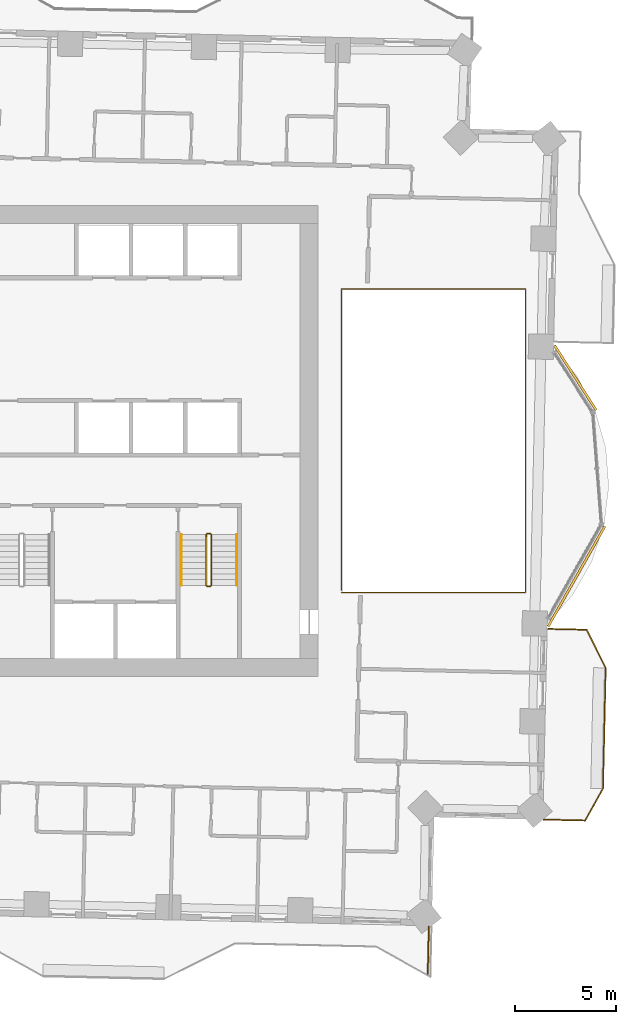
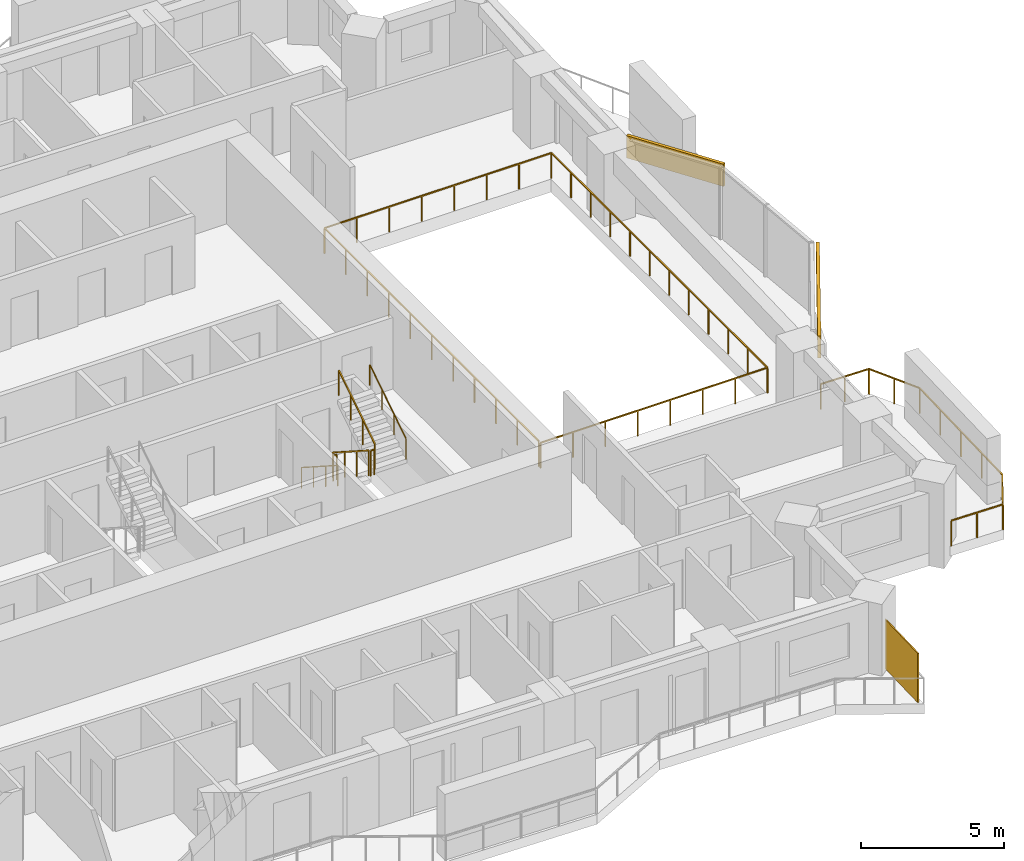
# One storey, part 13 of 14: 8 railings, 2 coverings, 1 shading device.
"""IFC4 building model written with IfcOpenShell, lengths in metres."""

from ifc_helpers import new_model, si_unit, direction, frame, frame_2d, origin, origin_2d, place, context, subcontext, project, spatial, rectangle, circle, extrude, material, layer, layer_set, type_object, element, save


model = new_model("IFC4")

# Units and contexts
model_context = context("Model", 3, precision=1e-05, world=origin(), true_north=direction((0.0, 1.0)))
body_context = subcontext(model_context, "Body", "Model", "MODEL_VIEW")
ifc_project = project(units=[si_unit("LENGTHUNIT", "METRE"), si_unit("AREAUNIT", "SQUARE_METRE"), si_unit("VOLUMEUNIT", "CUBIC_METRE"), si_unit("PLANEANGLEUNIT", "RADIAN"), si_unit("MASSUNIT", "GRAM", prefix="KILO")], contexts=[model_context])

# Site, building, storey
site_placement = place(None, origin())
site = spatial("IfcSite", under=ifc_project, at=site_placement, CompositionType="ELEMENT")
building_placement = place(site_placement, origin())
building = spatial("IfcBuilding", under=site, at=building_placement, Name="Mangrove Gate Tower", CompositionType="ELEMENT")
storey_placement = place(building_placement, frame((0.0, 0.0, 159.89990234375)))
storey = spatial("IfcBuildingStorey", under=building, at=storey_placement, Name="L40", CompositionType="ELEMENT", Elevation=159.89990234375)

# Railings
ifc_material_1 = material(Name="Stainless steel grade 316 with laminated glass infill", Category="steel")
railing_type_1 = type_object("IfcRailingType", Name="Balcony guard 1100", PredefinedType="GUARDRAIL", material=ifc_material_1)
railing_1_placement = place(storey_placement, frame((25.89697265625, -18.805908203125, 0.0)))
element("IfcRailing", 1, at=railing_1_placement, inside=storey, type_object=railing_type_1, Name="GUARD L40 E1", PredefinedType="GUARDRAIL", context=body_context, shape_type="SweptSolid", body=[
    extrude(rectangle(XDim=0.048095703125, YDim=0.048095703125, at=origin_2d()), frame((0.0, 0.0, 1.076171875), z_axis=(0.999750191986, -0.022350696272, 0.0), x_axis=(0.022350696272, 0.999750191986, 0.0)), (0.0, 0.0, 1.0), 2.064453125),
    extrude(rectangle(XDim=0.048095703125, YDim=0.048095703125, at=origin_2d()), frame((2.06396484375, -0.046142578125, 1.076171875), z_axis=(0.487440317877, 0.873156307031, 0.0), x_axis=(-0.873156307031, 0.487440317877, 0.0)), (0.0, 0.0, 1.0), 1.8095703125),
    extrude(rectangle(XDim=0.048095703125, YDim=0.048095703125, at=origin_2d()), frame((2.946044921875, 1.533935546875, 1.076171875), z_axis=(0.022665943652, 0.999743094499, 0.0), x_axis=(-0.999743094499, 0.022665943652, 0.0)), (0.0, 0.0, 1.0), 5.99951171875),
    extrude(rectangle(XDim=0.048095703125, YDim=0.048095703125, at=origin_2d()), frame((3.08203125, 7.531982421875, 1.076171875), z_axis=(-0.447029386424, 0.894519271829, 0.0), x_axis=(-0.894519271829, -0.447029386424, 0.0)), (0.0, 0.0, 1.0), 2.12060546875),
    extrude(rectangle(XDim=0.048095703125, YDim=0.048095703125, at=origin_2d()), frame((2.134033203125, 9.428955078125, 1.076171875), z_axis=(-0.999749396593, 0.022386246031, 0.0), x_axis=(-0.022386246031, -0.999749396593, 0.0)), (0.0, 0.0, 1.0), 1.91943359375),
    extrude(rectangle(XDim=0.0419921875, YDim=0.0419921875, at=origin_2d()), origin(), (0.0, 0.0, 1.0), 1.052001953125),
    extrude(rectangle(XDim=0.0419921875, YDim=0.0419921875, at=origin_2d()), frame((1.031982421875, -0.02294921875, 0.0)), (0.0, 0.0, 1.0), 1.052001953125),
    extrude(rectangle(XDim=0.0419921875, YDim=0.0419921875, at=origin_2d()), frame((2.06396484375, -0.046142578125, 0.0)), (0.0, 0.0, 1.0), 1.052001953125),
    extrude(rectangle(XDim=0.0419921875, YDim=0.0419921875, at=origin_2d()), frame((2.5048828125, 0.743896484375, 0.0)), (0.0, 0.0, 1.0), 1.052001953125),
    extrude(rectangle(XDim=0.0419921875, YDim=0.0419921875, at=origin_2d()), frame((2.946044921875, 1.533935546875, 0.0)), (0.0, 0.0, 1.0), 1.052001953125),
    extrude(rectangle(XDim=0.0419921875, YDim=0.0419921875, at=origin_2d()), frame((2.97998046875, 3.033447265625, 0.0)), (0.0, 0.0, 1.0), 1.052001953125),
    extrude(rectangle(XDim=0.0419921875, YDim=0.0419921875, at=origin_2d()), frame((3.01416015625, 4.532958984375, 0.0)), (0.0, 0.0, 1.0), 1.052001953125),
    extrude(rectangle(XDim=0.0419921875, YDim=0.0419921875, at=origin_2d()), frame((3.048095703125, 6.032470703125, 0.0)), (0.0, 0.0, 1.0), 1.052001953125),
    extrude(rectangle(XDim=0.0419921875, YDim=0.0419921875, at=origin_2d()), frame((3.08203125, 7.531982421875, 0.0)), (0.0, 0.0, 1.0), 1.052001953125),
    extrude(rectangle(XDim=0.0419921875, YDim=0.0419921875, at=origin_2d()), frame((2.60791015625, 8.48046875, 0.0)), (0.0, 0.0, 1.0), 1.052001953125),
    extrude(rectangle(XDim=0.0419921875, YDim=0.0419921875, at=origin_2d()), frame((2.134033203125, 9.428955078125, 0.0)), (0.0, 0.0, 1.0), 1.052001953125),
    extrude(rectangle(XDim=0.0419921875, YDim=0.0419921875, at=origin_2d()), frame((1.174560546875, 9.450439453125, 0.0)), (0.0, 0.0, 1.0), 1.052001953125),
    extrude(rectangle(XDim=0.0419921875, YDim=0.0419921875, at=origin_2d()), frame((0.215087890625, 9.471923828125, 0.0)), (0.0, 0.0, 1.0), 1.052001953125),
])
railing_2_placement = place(storey_placement, frame((15.860107421875, -7.5400390625, 0.0)))
element("IfcRailing", 2, at=railing_2_placement, inside=storey, type_object=railing_type_1, Name="GUARD L40 atrium", PredefinedType="GUARDRAIL", context=body_context, shape_type="SweptSolid", body=[
    extrude(rectangle(XDim=0.048095703125, YDim=0.048095703125, at=origin_2d()), frame((0.0, 0.0, 1.076171875), z_axis=(1.0, 0.0, 0.0), x_axis=(0.0, 1.0, 0.0)), (0.0, 0.0, 1.0), 9.143798828125),
    extrude(rectangle(XDim=0.048095703125, YDim=0.048095703125, at=origin_2d()), frame((9.143798828125, 0.0, 1.076171875), z_axis=(0.0, 1.0, 0.0), x_axis=(-1.0, 0.0, 0.0)), (0.0, 0.0, 1.0), 15.080078125),
    extrude(rectangle(XDim=0.048095703125, YDim=0.048095703125, at=origin_2d()), frame((9.143798828125, 15.080078125, 1.076171875), z_axis=(-1.0, 0.0, 0.0), x_axis=(0.0, -1.0, 0.0)), (0.0, 0.0, 1.0), 9.143798828125),
    extrude(rectangle(XDim=0.048095703125, YDim=0.048095703125, at=origin_2d()), frame((0.0, 15.080078125, 1.076171875), z_axis=(0.0, -1.0, 0.0), x_axis=(1.0, 0.0, 0.0)), (0.0, 0.0, 1.0), 14.9599609375),
    extrude(rectangle(XDim=0.0419921875, YDim=0.0419921875, at=origin_2d()), origin(), (0.0, 0.0, 1.0), 1.052001953125),
    extrude(rectangle(XDim=0.0419921875, YDim=0.0419921875, at=origin_2d()), frame((1.30615234375, 0.0, 0.0)), (0.0, 0.0, 1.0), 1.052001953125),
    extrude(rectangle(XDim=0.0419921875, YDim=0.0419921875, at=origin_2d()), frame((2.612548828125, 0.0, 0.0)), (0.0, 0.0, 1.0), 1.052001953125),
    extrude(rectangle(XDim=0.0419921875, YDim=0.0419921875, at=origin_2d()), frame((3.918701171875, 0.0, 0.0)), (0.0, 0.0, 1.0), 1.052001953125),
    extrude(rectangle(XDim=0.0419921875, YDim=0.0419921875, at=origin_2d()), frame((5.22509765625, 0.0, 0.0)), (0.0, 0.0, 1.0), 1.052001953125),
    extrude(rectangle(XDim=0.0419921875, YDim=0.0419921875, at=origin_2d()), frame((6.53125, 0.0, 0.0)), (0.0, 0.0, 1.0), 1.052001953125),
    extrude(rectangle(XDim=0.0419921875, YDim=0.0419921875, at=origin_2d()), frame((7.837646484375, 0.0, 0.0)), (0.0, 0.0, 1.0), 1.052001953125),
    extrude(rectangle(XDim=0.0419921875, YDim=0.0419921875, at=origin_2d()), frame((9.143798828125, 0.0, 0.0)), (0.0, 0.0, 1.0), 1.052001953125),
    extrude(rectangle(XDim=0.0419921875, YDim=0.0419921875, at=origin_2d()), frame((9.143798828125, 1.370849609375, 0.0)), (0.0, 0.0, 1.0), 1.052001953125),
    extrude(rectangle(XDim=0.0419921875, YDim=0.0419921875, at=origin_2d()), frame((9.143798828125, 2.741943359375, 0.0)), (0.0, 0.0, 1.0), 1.052001953125),
    extrude(rectangle(XDim=0.0419921875, YDim=0.0419921875, at=origin_2d()), frame((9.143798828125, 4.11279296875, 0.0)), (0.0, 0.0, 1.0), 1.052001953125),
    extrude(rectangle(XDim=0.0419921875, YDim=0.0419921875, at=origin_2d()), frame((9.143798828125, 5.483642578125, 0.0)), (0.0, 0.0, 1.0), 1.052001953125),
    extrude(rectangle(XDim=0.0419921875, YDim=0.0419921875, at=origin_2d()), frame((9.143798828125, 6.8544921875, 0.0)), (0.0, 0.0, 1.0), 1.052001953125),
    extrude(rectangle(XDim=0.0419921875, YDim=0.0419921875, at=origin_2d()), frame((9.143798828125, 8.2255859375, 0.0)), (0.0, 0.0, 1.0), 1.052001953125),
    extrude(rectangle(XDim=0.0419921875, YDim=0.0419921875, at=origin_2d()), frame((9.143798828125, 9.596435546875, 0.0)), (0.0, 0.0, 1.0), 1.052001953125),
    extrude(rectangle(XDim=0.0419921875, YDim=0.0419921875, at=origin_2d()), frame((9.143798828125, 10.96728515625, 0.0)), (0.0, 0.0, 1.0), 1.052001953125),
    extrude(rectangle(XDim=0.0419921875, YDim=0.0419921875, at=origin_2d()), frame((9.143798828125, 12.338134765625, 0.0)), (0.0, 0.0, 1.0), 1.052001953125),
    extrude(rectangle(XDim=0.0419921875, YDim=0.0419921875, at=origin_2d()), frame((9.143798828125, 13.709228515625, 0.0)), (0.0, 0.0, 1.0), 1.052001953125),
    extrude(rectangle(XDim=0.0419921875, YDim=0.0419921875, at=origin_2d()), frame((9.143798828125, 15.080078125, 0.0)), (0.0, 0.0, 1.0), 1.052001953125),
    extrude(rectangle(XDim=0.0419921875, YDim=0.0419921875, at=origin_2d()), frame((7.837646484375, 15.080078125, 0.0)), (0.0, 0.0, 1.0), 1.052001953125),
    extrude(rectangle(XDim=0.0419921875, YDim=0.0419921875, at=origin_2d()), frame((6.53125, 15.080078125, 0.0)), (0.0, 0.0, 1.0), 1.052001953125),
    extrude(rectangle(XDim=0.0419921875, YDim=0.0419921875, at=origin_2d()), frame((5.22509765625, 15.080078125, 0.0)), (0.0, 0.0, 1.0), 1.052001953125),
    extrude(rectangle(XDim=0.0419921875, YDim=0.0419921875, at=origin_2d()), frame((3.918701171875, 15.080078125, 0.0)), (0.0, 0.0, 1.0), 1.052001953125),
    extrude(rectangle(XDim=0.0419921875, YDim=0.0419921875, at=origin_2d()), frame((2.612548828125, 15.080078125, 0.0)), (0.0, 0.0, 1.0), 1.052001953125),
    extrude(rectangle(XDim=0.0419921875, YDim=0.0419921875, at=origin_2d()), frame((1.30615234375, 15.080078125, 0.0)), (0.0, 0.0, 1.0), 1.052001953125),
    extrude(rectangle(XDim=0.0419921875, YDim=0.0419921875, at=origin_2d()), frame((0.0, 15.080078125, 0.0)), (0.0, 0.0, 1.0), 1.052001953125),
    extrude(rectangle(XDim=0.0419921875, YDim=0.0419921875, at=origin_2d()), frame((0.0, 13.583984375, 0.0)), (0.0, 0.0, 1.0), 1.052001953125),
    extrude(rectangle(XDim=0.0419921875, YDim=0.0419921875, at=origin_2d()), frame((0.0, 12.088134765625, 0.0)), (0.0, 0.0, 1.0), 1.052001953125),
    extrude(rectangle(XDim=0.0419921875, YDim=0.0419921875, at=origin_2d()), frame((0.0, 10.592041015625, 0.0)), (0.0, 0.0, 1.0), 1.052001953125),
    extrude(rectangle(XDim=0.0419921875, YDim=0.0419921875, at=origin_2d()), frame((0.0, 9.09619140625, 0.0)), (0.0, 0.0, 1.0), 1.052001953125),
    extrude(rectangle(XDim=0.0419921875, YDim=0.0419921875, at=origin_2d()), frame((0.0, 7.60009765625, 0.0)), (0.0, 0.0, 1.0), 1.052001953125),
    extrude(rectangle(XDim=0.0419921875, YDim=0.0419921875, at=origin_2d()), frame((0.0, 6.10400390625, 0.0)), (0.0, 0.0, 1.0), 1.052001953125),
    extrude(rectangle(XDim=0.0419921875, YDim=0.0419921875, at=origin_2d()), frame((0.0, 4.608154296875, 0.0)), (0.0, 0.0, 1.0), 1.052001953125),
    extrude(rectangle(XDim=0.0419921875, YDim=0.0419921875, at=origin_2d()), frame((0.0, 3.112060546875, 0.0)), (0.0, 0.0, 1.0), 1.052001953125),
    extrude(rectangle(XDim=0.0419921875, YDim=0.0419921875, at=origin_2d()), frame((0.0, 1.6162109375, 0.0)), (0.0, 0.0, 1.0), 1.052001953125),
    extrude(rectangle(XDim=0.0419921875, YDim=0.0419921875, at=origin_2d()), frame((0.0, 0.1201171875, 0.0)), (0.0, 0.0, 1.0), 1.052001953125),
])

# Shading device
ifc_material_2 = material(Name="Timber slat screen in teak", Category="wood")
shading_device_type = type_object("IfcShadingDeviceType", Name="Balcony screen 2100", PredefinedType="USERDEFINED", material=ifc_material_2)
shading_device_placement = place(storey_placement, frame((20.16796875, -25.291015625, 0.0), z_axis=(0.0, 0.0, 1.0), x_axis=(-0.022792026249, -0.999740228029, 0.0)))
element("IfcShadingDevice", 3, at=shading_device_placement, inside=storey, type_object=shading_device_type, Name="SCREEN L40 S1", ObjectType="SCREEN", PredefinedType="USERDEFINED", context=body_context, shape_type="SweptSolid", body=[
    extrude(rectangle(XDim=2.387939453125, YDim=0.050048828125, at=origin_2d()), origin(), (0.0, 0.0, 1.0), 2.10009765625),
])

# Railings
ifc_material_3 = material(Name="Stainless steel 316", Category="steel")
railing_type_2 = type_object("IfcRailingType", Name="Core stair guard 1100", PredefinedType="GUARDRAIL", material=ifc_material_3)
railing_3_placement = place(storey_placement, frame((9.14990234375, -4.64990234375, 0.18017578125)))
element("IfcRailing", 4, at=railing_3_placement, inside=storey, type_object=railing_type_2, Name="L40 ST3 stair guard 1", PredefinedType="GUARDRAIL", context=body_context, shape_type="SweptSolid", body=[
    extrude(rectangle(XDim=0.048095703125, YDim=0.048095703125, at=origin_2d()), frame((0.0, 0.0, 1.076171875), z_axis=(0.0, -0.841199657755, 0.540724639528), x_axis=(1.0, 0.0, 0.0)), (0.0, 0.0, 1.0), 2.995849609375),
    extrude(rectangle(XDim=0.0419921875, YDim=0.0419921875, at=origin_2d()), origin(), (0.0, 0.0, 1.0), 1.052001953125),
    extrude(rectangle(XDim=0.0419921875, YDim=0.0419921875, at=origin_2d()), frame((0.0, -0.840087890625, 0.5400390625)), (0.0, 0.0, 1.0), 1.052001953125),
    extrude(rectangle(XDim=0.0419921875, YDim=0.0419921875, at=origin_2d()), frame((0.0, -1.679931640625, 1.079833984375)), (0.0, 0.0, 1.0), 1.052001953125),
    extrude(rectangle(XDim=0.0419921875, YDim=0.0419921875, at=origin_2d()), frame((0.0, -2.52001953125, 1.619873046875)), (0.0, 0.0, 1.0), 1.052001953125),
])
railing_4_placement = place(storey_placement, frame((9.199951171875, -7.219970703125, 1.800048828125)))
element("IfcRailing", 5, at=railing_4_placement, inside=storey, type_object=railing_type_2, Name="L40 ST3 stair guard 2", PredefinedType="GUARDRAIL", context=body_context, shape_type="SweptSolid", body=[
    extrude(rectangle(XDim=0.048095703125, YDim=0.048095703125, at=origin_2d()), frame((0.0, 0.0, 1.076171875), z_axis=(1.0, 0.0, 0.0), x_axis=(0.0, 1.0, 0.0)), (0.0, 0.0, 1.0), 0.150146484375),
    extrude(rectangle(XDim=0.0419921875, YDim=0.0419921875, at=origin_2d()), origin(), (0.0, 0.0, 1.0), 1.052001953125),
    extrude(rectangle(XDim=0.0419921875, YDim=0.0419921875, at=origin_2d()), frame((0.150146484375, 0.0, 0.0)), (0.0, 0.0, 1.0), 1.052001953125),
])
railing_5_placement = place(storey_placement, frame((9.39990234375, -7.169921875, 1.97998046875)))
element("IfcRailing", 6, at=railing_5_placement, inside=storey, type_object=railing_type_2, Name="L40 ST3 stair guard 3", PredefinedType="GUARDRAIL", context=body_context, shape_type="SweptSolid", body=[
    extrude(rectangle(XDim=0.048095703125, YDim=0.048095703125, at=origin_2d()), frame((0.0, 0.0, 1.076171875), z_axis=(0.0, 0.841162588446, 0.540782303519), x_axis=(-1.0, 0.0, 0.0)), (0.0, 0.0, 1.0), 2.995849609375),
    extrude(rectangle(XDim=0.0419921875, YDim=0.0419921875, at=origin_2d()), origin(), (0.0, 0.0, 1.0), 1.052001953125),
    extrude(rectangle(XDim=0.0419921875, YDim=0.0419921875, at=origin_2d()), frame((0.0, 0.840087890625, 0.5400390625)), (0.0, 0.0, 1.0), 1.052001953125),
    extrude(rectangle(XDim=0.0419921875, YDim=0.0419921875, at=origin_2d()), frame((0.0, 1.679931640625, 1.080078125)), (0.0, 0.0, 1.0), 1.052001953125),
    extrude(rectangle(XDim=0.0419921875, YDim=0.0419921875, at=origin_2d()), frame((0.0, 2.52001953125, 1.6201171875)), (0.0, 0.0, 1.0), 1.052001953125),
])
railing_6_placement = place(storey_placement, frame((9.199951171875, -4.60009765625, 0.0)))
element("IfcRailing", 7, at=railing_6_placement, inside=storey, type_object=railing_type_2, Name="L40 ST3 stair guard 4", PredefinedType="GUARDRAIL", context=body_context, shape_type="SweptSolid", body=[
    extrude(rectangle(XDim=0.048095703125, YDim=0.048095703125, at=origin_2d()), frame((0.0, 0.0, 1.076171875), z_axis=(1.0, 0.0, 0.0), x_axis=(0.0, 1.0, 0.0)), (0.0, 0.0, 1.0), 0.150146484375),
    extrude(rectangle(XDim=0.0419921875, YDim=0.0419921875, at=origin_2d()), origin(), (0.0, 0.0, 1.0), 1.052001953125),
    extrude(rectangle(XDim=0.0419921875, YDim=0.0419921875, at=origin_2d()), frame((0.150146484375, 0.0, 0.0)), (0.0, 0.0, 1.0), 1.052001953125),
])
ifc_material_4 = material(Name="Stainless steel 316", Category="steel")
railing_type_3 = type_object("IfcRailingType", Name="Core stair handrail 900", PredefinedType="HANDRAIL", material=ifc_material_4)
railing_7_placement = place(storey_placement, frame((7.89990234375, -4.64990234375, 0.18017578125)))
element("IfcRailing", 8, at=railing_7_placement, inside=storey, type_object=railing_type_3, Name="L40 ST3 stair handrail 1", PredefinedType="HANDRAIL", context=body_context, shape_type="SweptSolid", body=[
    extrude(circle(Radius=0.02392578125, at=origin_2d()), frame((0.0, 0.0, 0.8759765625), z_axis=(0.0, -0.841199657755, 0.540724639528), x_axis=(1.0, 0.0, 0.0)), (0.0, 0.0, 1.0), 2.995849609375),
    extrude(circle(Radius=0.02099609375, at=origin_2d()), origin(), (0.0, 0.0, 1.0), 0.851806640625),
    extrude(circle(Radius=0.02099609375, at=origin_2d()), frame((0.0, -0.840087890625, 0.5400390625)), (0.0, 0.0, 1.0), 0.851806640625),
    extrude(circle(Radius=0.02099609375, at=origin_2d()), frame((0.0, -1.679931640625, 1.079833984375)), (0.0, 0.0, 1.0), 0.851806640625),
    extrude(circle(Radius=0.02099609375, at=origin_2d()), frame((0.0, -2.52001953125, 1.619873046875)), (0.0, 0.0, 1.0), 0.851806640625),
])
railing_8_placement = place(storey_placement, frame((10.64990234375, -7.169921875, 1.97998046875)))
element("IfcRailing", 9, at=railing_8_placement, inside=storey, type_object=railing_type_3, Name="L40 ST3 stair handrail 2", PredefinedType="HANDRAIL", context=body_context, shape_type="SweptSolid", body=[
    extrude(circle(Radius=0.02392578125, at=origin_2d()), frame((0.0, 0.0, 0.8759765625), z_axis=(0.0, 0.841162588446, 0.540782303519), x_axis=(-1.0, 0.0, 0.0)), (0.0, 0.0, 1.0), 2.995849609375),
    extrude(circle(Radius=0.02099609375, at=origin_2d()), origin(), (0.0, 0.0, 1.0), 0.851806640625),
    extrude(circle(Radius=0.02099609375, at=origin_2d()), frame((0.0, 0.840087890625, 0.5400390625)), (0.0, 0.0, 1.0), 0.851806640625),
    extrude(circle(Radius=0.02099609375, at=origin_2d()), frame((0.0, 1.679931640625, 1.080078125)), (0.0, 0.0, 1.0), 0.851806640625),
    extrude(circle(Radius=0.02099609375, at=origin_2d()), frame((0.0, 2.52001953125, 1.6201171875)), (0.0, 0.0, 1.0), 0.851806640625),
])

# Coverings
ifc_material_5 = material(Name="Limestone", Category="masonry")
ifc_layer_1 = layer(ifc_material_5, 0.0400390625, Name="Limestone cladding")
ifc_material_6 = material(Name="Stainless steel anchors and cavity", Category="steel")
ifc_layer_2 = layer(ifc_material_6, 0.080078125, Name="Fixing cavity")
ifc_layer_set = layer_set([ifc_layer_1, ifc_layer_2], Name="Joint fascia cladding 120")
covering_type = type_object("IfcCoveringType", Name="Joint fascia cladding 120", PredefinedType="CLADDING", material=ifc_layer_set)
covering_1_placement = place(storey_placement, frame((26.125, -9.208984375, 2.10009765625), z_axis=(0.0, 0.0, 1.0), x_axis=(0.492475934062, 0.870326062099, 0.0)))
element("IfcCovering", 10, at=covering_1_placement, inside=storey, type_object=covering_type, Name="STONE FASCIA L40 E1.L1", PredefinedType="CLADDING", context=body_context, shape_type="SweptSolid", body=[
    extrude(rectangle(XDim=5.7060546875, YDim=0.1201171875, at=frame_2d((2.85302734375, 0.0))), origin(), (0.0, 0.0, 1.0), 0.949951171875),
])
covering_2_placement = place(storey_placement, frame((28.5, 1.530029296875, 2.10009765625), z_axis=(0.0, 0.0, 1.0), x_axis=(-0.540486138148, 0.841352919095, 0.0)))
element("IfcCovering", 11, at=covering_2_placement, inside=storey, type_object=covering_type, Name="STONE FASCIA L40 E1.L2", PredefinedType="CLADDING", context=body_context, shape_type="SweptSolid", body=[
    extrude(rectangle(XDim=3.818603515625, YDim=0.1201171875, at=frame_2d((1.9091796875, 0.0))), origin(), (0.0, 0.0, 1.0), 0.949951171875),
])

save(model, "model.ifc")
